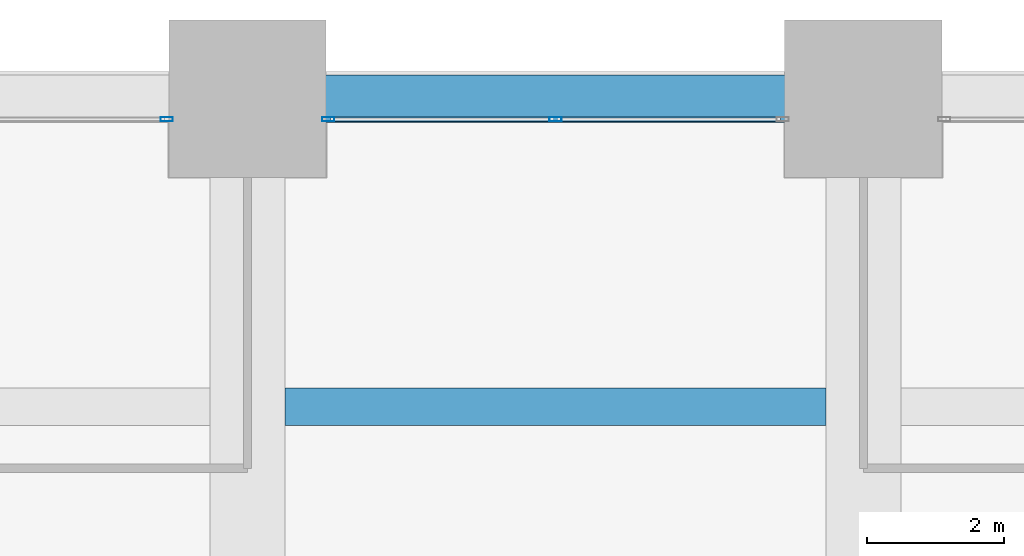
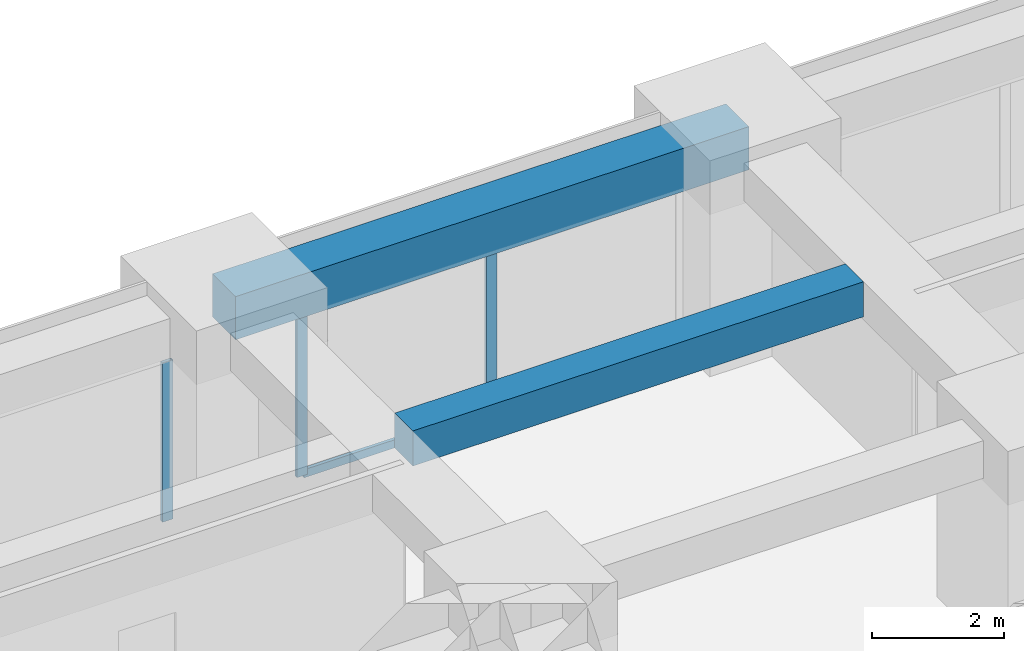
# One storey, part 30 of 44: 4 members, 2 beams, 2 elements without a shape of their own.
"""IFC4 building model written with IfcOpenShell, lengths in metres."""

import ifcopenshell
import ifcopenshell.guid

model = None  # the IFC model being written
_history = None  # IfcOwnerHistory: only IFC2X3 demands one
_inside = {}  # id of a spatial element -> (the spatial element, [elements in it])
_under = {}  # id of a project, library or spatial element -> (it, [spatial elements below it])
_declared = {}  # id of a project -> (the project, [libraries it declares])
_typed = {}  # id of a type object -> (the type object, [elements of that type])
_made_of = {}  # id of a material, layer set ... -> (it, [elements and type objects made of it])


def new_model(schema):
    """Start an empty IFC model of exactly this schema.

    Asked for "IFC4X3", IfcOpenShell would pick the latest addendum, in which some entities
    have other attributes; the version numbers below select the first issue.
    IFC2X3 requires an IfcOwnerHistory on every rooted entity: one is made here for all.
    """
    global model, _history
    if schema == "IFC4X3":
        model = ifcopenshell.file(schema_version=(4, 3, 0, 0))
    else:
        model = ifcopenshell.file(schema=schema)
    _inside.clear()
    _under.clear()
    _declared.clear()
    _typed.clear()
    _made_of.clear()
    _history = None
    if model.schema == "IFC2X3":
        org = make("IfcOrganization", Name="unknown")
        user = make(
            "IfcPersonAndOrganization",
            ThePerson=make("IfcPerson", FamilyName="unknown"),
            TheOrganization=org,
        )
        app = make(
            "IfcApplication",
            ApplicationDeveloper=org,
            Version="unknown",
            ApplicationFullName="unknown",
            ApplicationIdentifier="unknown",
        )
        _history = make(
            "IfcOwnerHistory",
            OwningUser=user,
            OwningApplication=app,
            ChangeAction="ADDED",
            CreationDate=0,
        )
    return model


def make(cls, **values):
    """One entity of the class cls with the attributes given. An attribute that is None is left unset."""
    return model.create_entity(
        cls, **{name: value for name, value in values.items() if value is not None}
    )


def rooted(cls, **values):
    """An entity with a GlobalId (a new one), such as an element, a storey or a relation."""
    return make(cls, GlobalId=ifcopenshell.guid.new(), OwnerHistory=_history, **values)


def si_unit(unit_type, name, prefix=None):
    """IfcSIUnit, for example si_unit("LENGTHUNIT", "METRE", prefix="MILLI")."""
    return make("IfcSIUnit", UnitType=unit_type, Prefix=prefix, Name=name)


def assignment(units):
    """IfcUnitAssignment: the units of a project."""
    return None if units is None else make("IfcUnitAssignment", Units=units)


def point(xyz):
    """IfcCartesianPoint."""
    return None if xyz is None else make("IfcCartesianPoint", Coordinates=xyz)


def direction(xyz):
    """IfcDirection."""
    return None if xyz is None else make("IfcDirection", DirectionRatios=xyz)


def frame(location, z_axis=None, x_axis=None):
    """IfcAxis2Placement3D, a coordinate frame: its origin and axes. An axis left out is left unset."""
    return make(
        "IfcAxis2Placement3D",
        Location=point(location),
        Axis=direction(z_axis),
        RefDirection=direction(x_axis),
    )


def frame_2d(location, x_axis=None):
    """IfcAxis2Placement2D, a coordinate frame in the plane: its origin and x axis."""
    return make(
        "IfcAxis2Placement2D", Location=point(location), RefDirection=direction(x_axis)
    )


def origin():
    """The frame at (0, 0, 0) with its axes left unset."""
    return frame((0.0, 0.0, 0.0))


def origin_2d():
    """The frame at (0, 0) in the plane with its x axis left unset."""
    return frame_2d((0.0, 0.0))


def place(relative_to, where):
    """IfcLocalPlacement: puts the frame where relative to a parent placement (None: the world)."""
    return make(
        "IfcLocalPlacement", PlacementRelTo=relative_to, RelativePlacement=where
    )


def context(
    kind, dimensions, precision=None, world=None, true_north=None, identifier=None
):
    """IfcGeometricRepresentationContext, for example the 3D "Model" context."""
    return make(
        "IfcGeometricRepresentationContext",
        ContextIdentifier=identifier,
        ContextType=kind,
        CoordinateSpaceDimension=dimensions,
        Precision=precision,
        WorldCoordinateSystem=world,
        TrueNorth=true_north,
    )


def subcontext(parent, identifier, kind, view, scale=None):
    """IfcGeometricRepresentationSubContext, for example "Body" below "Model"."""
    return make(
        "IfcGeometricRepresentationSubContext",
        ContextIdentifier=identifier,
        ContextType=kind,
        ParentContext=parent,
        TargetScale=scale,
        TargetView=view,
    )


def project(units=None, contexts=None):
    """IfcProject with its units and contexts."""
    return rooted(
        "IfcProject",
        Name="project",
        RepresentationContexts=contexts,
        UnitsInContext=assignment(units),
    )


def spatial(cls, under=None, at=None, **own):
    """A site, building, storey or space (cls), placed at a placement, below another one or the project."""
    s = rooted(cls, ObjectPlacement=at, **own)
    if under is not None:
        _under.setdefault(under.id(), (under, []))[1].append(s)
    return s


def profile(cls, at=None, kind="AREA", **sizes):
    """A parametric profile (cls). Its sizes go by their IFC names, for example OverallWidth=200.0."""
    return make(cls, ProfileType=kind, Position=at, **sizes)


def rectangle(**sizes):
    """IfcRectangleProfileDef."""
    return profile("IfcRectangleProfileDef", **sizes)


def hollow_rectangle(**sizes):
    """IfcRectangleHollowProfileDef."""
    return profile("IfcRectangleHollowProfileDef", **sizes)


def extrude(swept, where, along, depth):
    """IfcExtrudedAreaSolid: the profile swept, set in the frame where, extruded along a direction by depth."""
    return make(
        "IfcExtrudedAreaSolid",
        SweptArea=swept,
        Position=where,
        ExtrudedDirection=direction(along),
        Depth=depth,
    )


def shape(context_of_items, identifier, shape_type, items):
    """IfcShapeRepresentation: the items that make up one representation, for example the "Body"."""
    return make(
        "IfcShapeRepresentation",
        ContextOfItems=context_of_items,
        RepresentationIdentifier=identifier,
        RepresentationType=shape_type,
        Items=items,
    )


def material(Name=None, Category=None):
    """IfcMaterial."""
    return make("IfcMaterial", Name=Name, Category=Category)


def material_profile(
    of_material, cross_section, Name=None, Category=None, Priority=None
):
    """IfcMaterialProfile: a cross section and its material."""
    return make(
        "IfcMaterialProfile",
        Name=Name,
        Material=of_material,
        Profile=cross_section,
        Priority=Priority,
        Category=Category,
    )


def profile_set(profiles, Name=None, composite=None):
    """IfcMaterialProfileSet."""
    return make(
        "IfcMaterialProfileSet",
        Name=Name,
        MaterialProfiles=profiles,
        CompositeProfile=composite,
    )


def made_of(thing, what):
    """Note that an element or type object is made of a material, layer set ...; save() writes the relation."""
    if what is not None:
        _made_of.setdefault(what.id(), (what, []))[1].append(thing)
    return thing


def type_object(cls, material=None, **own):
    """A type object (cls), such as IfcWallType, which elements share."""
    return made_of(rooted(cls, **own), material)


def element(
    cls,
    number,
    at=None,
    inside=None,
    cuts=None,
    type_object=None,
    material=None,
    context=None,
    identifier="Body",
    shape_type=None,
    held_by="IfcProductDefinitionShape",
    body=None,
    shapes=None,
    **own,
):
    """One element of the class cls, such as IfcWall. Its Tag is "e" and its number.

    at: its placement. inside: the storey or other place that contains it. cuts: it is an
    opening in that element (IfcRelVoidsElement). A single representation is given by context,
    identifier, shape_type and body (its items); several are given by shapes. held_by: the class
    of the entity that holds the representations. save() writes the other relations.
    """
    e = rooted(cls, Tag="e%d" % number, ObjectPlacement=at, **own)
    if body is not None:
        shapes = [shape(context, identifier, shape_type, body)]
    if shapes is not None:
        e.Representation = make(held_by, Representations=shapes)
    if inside is not None:
        _inside.setdefault(inside.id(), (inside, []))[1].append(e)
    if cuts is not None:
        rooted(
            "IfcRelVoidsElement", RelatingBuildingElement=cuts, RelatedOpeningElement=e
        )
    if type_object is not None:
        _typed.setdefault(type_object.id(), (type_object, []))[1].append(e)
    return made_of(e, material)


def aggregate(whole, parts):
    """IfcRelAggregates: a whole, such as a stair, and the parts it consists of."""
    return rooted("IfcRelAggregates", RelatingObject=whole, RelatedObjects=parts)


def save(model, path):
    """Write the relations noted so far, then the file.

    IfcRelAggregates (storeys below a building ...), IfcRelContainedInSpatialStructure (elements
    in a storey), IfcRelDefinesByType, IfcRelAssociatesMaterial and IfcRelDeclares: one each for
    every whole, place, type object, material and project.
    """
    for whole, parts in _under.values():
        aggregate(whole, parts)
    for where, things in _inside.values():
        rooted(
            "IfcRelContainedInSpatialStructure",
            RelatedElements=things,
            RelatingStructure=where,
        )
    for kind, things in _typed.values():
        rooted("IfcRelDefinesByType", RelatedObjects=things, RelatingType=kind)
    for what, things in _made_of.values():
        rooted("IfcRelAssociatesMaterial", RelatedObjects=things, RelatingMaterial=what)
    for by, libraries in _declared.values():
        rooted("IfcRelDeclares", RelatingContext=by, RelatedDefinitions=libraries)
    model.write(path)


model = new_model("IFC4")

# Units and contexts
model_context = context("Model", 3, precision=1e-05, world=origin(), true_north=direction((0.0, 1.0)))
body_context = subcontext(model_context, "Body", "Model", "MODEL_VIEW")
ifc_project = project(units=[si_unit("LENGTHUNIT", "METRE"), si_unit("AREAUNIT", "SQUARE_METRE"), si_unit("VOLUMEUNIT", "CUBIC_METRE"), si_unit("PLANEANGLEUNIT", "RADIAN"), si_unit("MASSUNIT", "GRAM", prefix="KILO")], contexts=[model_context])

# Site, building, storey
site_placement = place(None, origin())
site = spatial("IfcSite", under=ifc_project, at=site_placement, CompositionType="ELEMENT")
building_placement = place(site_placement, origin())
building = spatial("IfcBuilding", under=site, at=building_placement, Name="Zorevar Civic Tower", CompositionType="ELEMENT")
storey_placement = place(building_placement, frame((0.0, 0.0, 51.800048828125)))
storey = spatial("IfcBuildingStorey", under=building, at=storey_placement, Name="L12", CompositionType="ELEMENT", Elevation=51.800048828125)

# Beam
ifc_material_1 = material(Name="Concrete C50/60", Category="concrete")
ifc_material_profile_1 = material_profile(ifc_material_1, rectangle(XDim=0.550048828125, YDim=0.64990234375, at=origin_2d()), Name="RC 550x650")
ifc_profile_set_1 = profile_set([ifc_material_profile_1], Name="Concrete C50/60")
beam_type_1 = type_object("IfcBeamType", Name="Beam RC 550x650", PredefinedType="BEAM", material=ifc_profile_set_1)
beam_1_placement = place(storey_placement, frame((27.550048828125, 49.5, 3.425048828125), z_axis=(1.0, 0.0, 0.0), x_axis=(0.0, 1.0, 0.0)))
element("IfcBeam", 1, at=beam_1_placement, inside=storey, type_object=beam_type_1, Name="Secondary beam L13", PredefinedType="BEAM", context=body_context, shape_type="SweptSolid", body=[
    extrude(rectangle(XDim=0.550048828125, YDim=0.64990234375, at=origin_2d()), origin(), (0.0, 0.0, 1.0), 7.89990234375),
])

# Curtain wall, member
ifc_material_2 = material(Name="Dark grey solar-control glass in black aluminium frame", Category="aluminium")
curtain_wall_type = type_object("IfcCurtainWallType", Name="Curtain wall CW2 low zone", PredefinedType="NOTDEFINED", material=ifc_material_2)
curtain_wall_1_placement = place(storey_placement, origin())
curtain_wall_1 = element("IfcCurtainWall", 2, at=curtain_wall_1_placement, inside=storey, type_object=curtain_wall_type, Name="CW2 L12", PredefinedType="NOTDEFINED")
ifc_material_3 = material(Name="Aluminium, black anodised", Category="aluminium")
ifc_material_profile_2 = material_profile(ifc_material_3, hollow_rectangle(XDim=0.06005859375, YDim=0.179931640625, WallThickness=0.00390625, at=origin_2d()), Name="AL 180x60x4")
ifc_profile_set_2 = profile_set([ifc_material_profile_2], Name="Aluminium, black anodised")
member_type_1 = type_object("IfcMemberType", Name="CW2 mullion AL 180x60x4", PredefinedType="MULLION", material=ifc_profile_set_2)
member_1_placement = place(storey_placement, frame((25.820068359375, 53.699951171875, 0.0), z_axis=(0.0, 0.0, 1.0), x_axis=(0.0, 1.0, 0.0)))
member_1 = element("IfcMember", 3, at=member_1_placement, type_object=member_type_1, Name="CW2 mullion 3", PredefinedType="MULLION", context=body_context, shape_type="SweptSolid", body=[
    extrude(hollow_rectangle(XDim=0.06005859375, YDim=0.179931640625, WallThickness=0.00390625, at=origin_2d()), origin(), (0.0, 0.0, 1.0), 2.949951171875),
])
aggregate(curtain_wall_1, [member_1])

# Curtain wall, members
curtain_wall_2_placement = place(storey_placement, origin())
curtain_wall_2 = element("IfcCurtainWall", 4, at=curtain_wall_2_placement, inside=storey, type_object=curtain_wall_type, Name="CW2 L12", PredefinedType="NOTDEFINED")
member_2_placement = place(storey_placement, frame((28.179931640625, 53.699951171875, 0.0), z_axis=(0.0, 0.0, 1.0), x_axis=(0.0, 1.0, 0.0)))
member_2 = element("IfcMember", 5, at=member_2_placement, type_object=member_type_1, Name="CW2 mullion 1", PredefinedType="MULLION", context=body_context, shape_type="SweptSolid", body=[
    extrude(hollow_rectangle(XDim=0.06005859375, YDim=0.179931640625, WallThickness=0.00390625, at=origin_2d()), origin(), (0.0, 0.0, 1.0), 2.949951171875),
])
member_3_placement = place(storey_placement, frame((31.5, 53.699951171875, 0.06005859375), z_axis=(0.0, 0.0, 1.0), x_axis=(0.0, 1.0, 0.0)))
member_3 = element("IfcMember", 6, at=member_3_placement, type_object=member_type_1, Name="CW2 mullion 2", PredefinedType="MULLION", context=body_context, shape_type="SweptSolid", body=[
    extrude(hollow_rectangle(XDim=0.06005859375, YDim=0.179931640625, WallThickness=0.00390625, at=origin_2d()), origin(), (0.0, 0.0, 1.0), 2.889892578125),
])
ifc_material_4 = material(Name="Aluminium, black anodised", Category="aluminium")
ifc_material_profile_3 = material_profile(ifc_material_4, hollow_rectangle(XDim=0.06005859375, YDim=0.14990234375, WallThickness=0.00390625, at=origin_2d()), Name="AL 150x60x4")
ifc_profile_set_3 = profile_set([ifc_material_profile_3], Name="Aluminium, black anodised")
member_type_2 = type_object("IfcMemberType", Name="CW2 transom AL 150x60x4", PredefinedType="USERDEFINED", material=ifc_profile_set_3)
member_4_placement = place(storey_placement, frame((28.2099609375, 53.699951171875, 0.030029296875), z_axis=(1.0, 0.0, 0.0), x_axis=(0.0, 1.0, 0.0)))
member_4 = element("IfcMember", 7, at=member_4_placement, type_object=member_type_2, Name="CW2 sill transom", ObjectType="TRANSOM", PredefinedType="USERDEFINED", context=body_context, shape_type="SweptSolid", body=[
    extrude(hollow_rectangle(XDim=0.06005859375, YDim=0.14990234375, WallThickness=0.00390625, at=origin_2d()), origin(), (0.0, 0.0, 1.0), 6.580078125),
])
aggregate(curtain_wall_2, [member_2, member_3, member_4])

# Beam
ifc_material_5 = material(Name="Concrete C50/60", Category="concrete")
ifc_material_profile_4 = material_profile(ifc_material_5, rectangle(XDim=0.699951171875, YDim=0.800048828125, at=origin_2d()), Name="RC 700x800")
ifc_profile_set_4 = profile_set([ifc_material_profile_4], Name="Concrete C50/60")
beam_type_2 = type_object("IfcBeamType", Name="Edge beam RC 700x800", PredefinedType="SPANDREL", material=ifc_profile_set_4)
beam_2_placement = place(storey_placement, frame((27.0, 54.0, 3.349853515625), z_axis=(1.0, 0.0, 0.0), x_axis=(0.0, 1.0, 0.0)))
element("IfcBeam", 8, at=beam_2_placement, inside=storey, type_object=beam_type_2, Name="Edge beam L13", PredefinedType="SPANDREL", context=body_context, shape_type="SweptSolid", body=[
    extrude(rectangle(XDim=0.699951171875, YDim=0.800048828125, at=origin_2d()), origin(), (0.0, 0.0, 1.0), 9.0),
])

save(model, "model.ifc")
